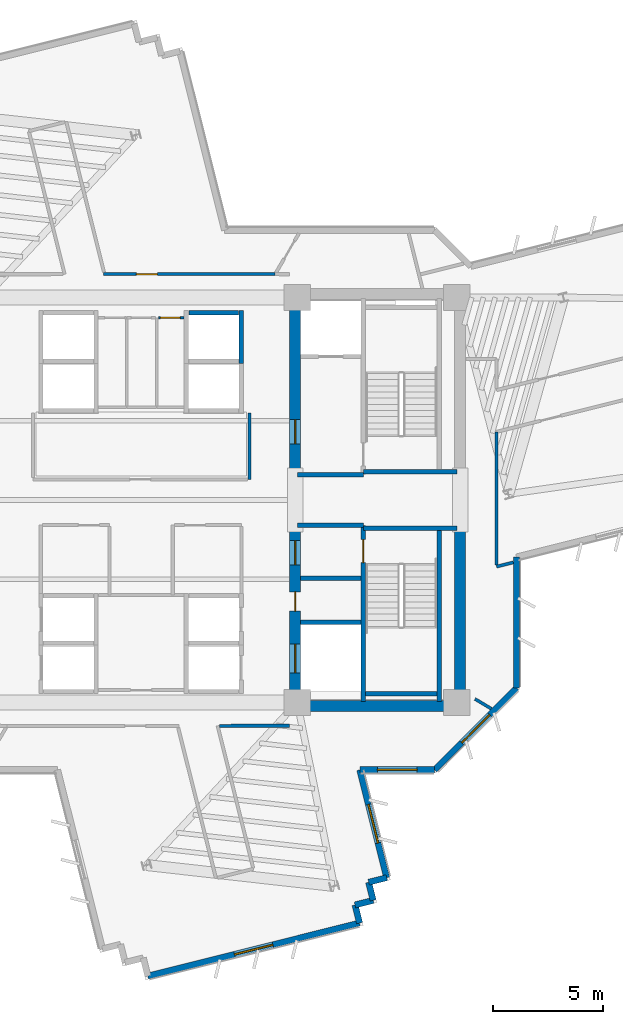
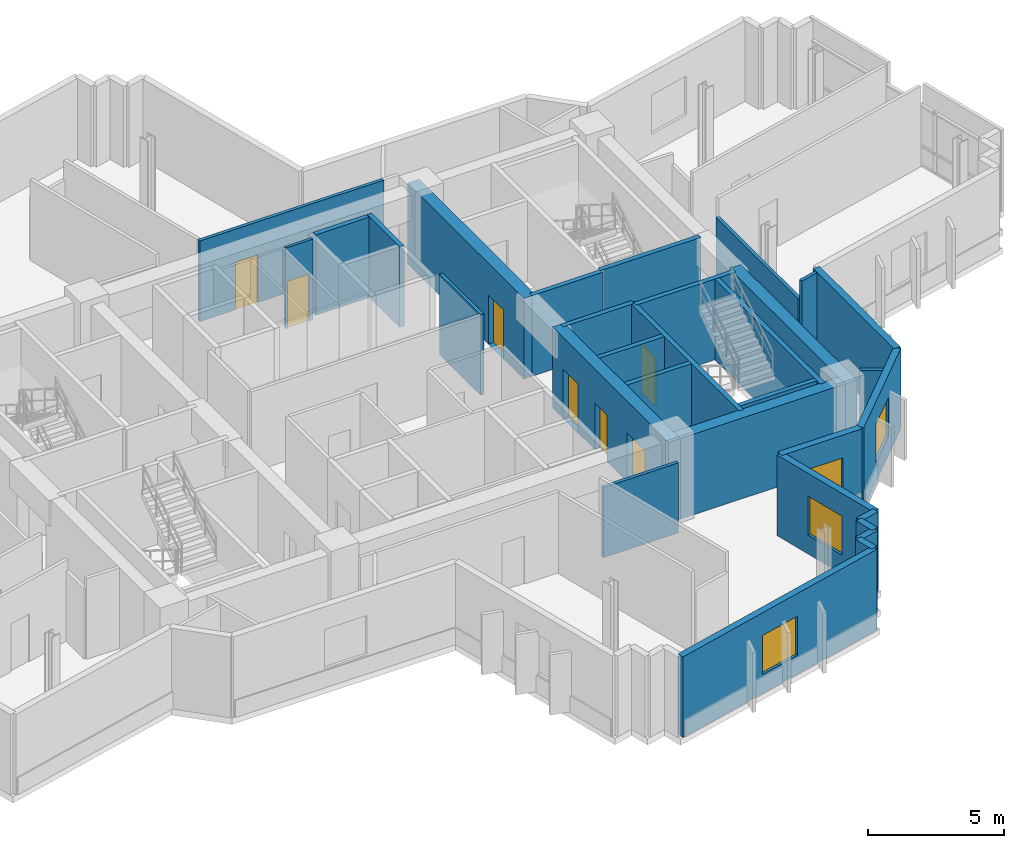
# One storey, part 8 of 13: 31 walls, 7 doors, 4 windows, 11 openings.
"""IFC4 building model written with IfcOpenShell, lengths in metres."""

from ifc_helpers import new_model, si_unit, direction, frame, frame_2d, origin, place, context, subcontext, project, spatial, rectangle, extrude, source, transform, mapped, material, layer, layer_set, type_object, element, fill, save


model = new_model("IFC4")

# Units and contexts
model_context = context("Model", 3, precision=1e-05, world=origin(), true_north=direction((0.0, 1.0)))
body_context = subcontext(model_context, "Body", "Model", "MODEL_VIEW")
ifc_project = project(units=[si_unit("LENGTHUNIT", "METRE"), si_unit("AREAUNIT", "SQUARE_METRE"), si_unit("VOLUMEUNIT", "CUBIC_METRE"), si_unit("PLANEANGLEUNIT", "RADIAN"), si_unit("MASSUNIT", "GRAM", prefix="KILO")], contexts=[model_context])

# Site, building, storey
site_placement = place(None, origin())
site = spatial("IfcSite", under=ifc_project, at=site_placement, CompositionType="ELEMENT")
building_placement = place(site_placement, origin())
building = spatial("IfcBuilding", under=site, at=building_placement, Name="Zahravan Cultural Tower", CompositionType="ELEMENT")
storey_placement = place(building_placement, frame((0.0, 0.0, 190.199951171875)))
storey = spatial("IfcBuildingStorey", under=building, at=storey_placement, Name="L44", CompositionType="ELEMENT", Elevation=190.199951171875)

# Wall, openings, doors
ifc_material_1 = material(Name="Concrete C60/75", Category="concrete")
ifc_layer_1 = layer(ifc_material_1, 0.5)
ifc_layer_set_1 = layer_set([ifc_layer_1], Name="Concrete C60/75")
wall_type_1 = type_object("IfcWallType", Name="CW-SHEAR-500-C60", PredefinedType="SHEAR", material=ifc_layer_set_1)
wall_1_placement = place(storey_placement, frame((43.0, 17.39990234375, 0.0), z_axis=(0.0, 0.0, 1.0), x_axis=(0.0, 1.0, 0.0)))
wall_1 = element("IfcWall", 1, at=wall_1_placement, inside=storey, type_object=wall_type_1, Name="L44 Core Shear Wall CW-E-WS-L44", PredefinedType="SHEAR", context=body_context, shape_type="SweptSolid", body=[
    extrude(rectangle(XDim=8.550048828125, YDim=0.5, at=frame_2d((4.27490234375, 0.0))), origin(), (0.0, 0.0, 1.0), 3.6201171875),
])
opening_1_placement = place(wall_1_placement, frame((6.64990234375, 0.0, 0.0)))
opening_1 = element("IfcOpeningElement", 2, at=opening_1_placement, cuts=wall_1, Name="Opening D-L44-08", PredefinedType="OPENING", context=body_context, shape_type="SweptSolid", body=[
    extrude(rectangle(XDim=1.10009765625, YDim=2.199951171875, at=frame_2d((0.550048828125, 1.10009765625))), frame((0.0, 0.260009765625, 0.0), z_axis=(0.0, -1.0, 0.0), x_axis=(1.0, 0.0, 0.0)), (0.0, 0.0, 1.0), 0.52001953125),
])
opening_2_placement = place(wall_1_placement, frame((1.75, 0.0, 0.0)))
opening_2 = element("IfcOpeningElement", 3, at=opening_2_placement, cuts=wall_1, Name="Opening LD-L44-03", PredefinedType="OPENING", context=body_context, shape_type="SweptSolid", body=[
    extrude(rectangle(XDim=1.300048828125, YDim=2.199951171875, at=frame_2d((0.64990234375, 1.10009765625))), frame((0.0, 0.260009765625, 0.0), z_axis=(0.0, -1.0, 0.0), x_axis=(1.0, 0.0, 0.0)), (0.0, 0.0, 1.0), 0.52001953125),
])
opening_3_placement = place(wall_1_placement, frame((4.550048828125, 0.0, 0.0)))
opening_3 = element("IfcOpeningElement", 4, at=opening_3_placement, cuts=wall_1, Name="Opening D-L44-10", PredefinedType="OPENING", context=body_context, shape_type="SweptSolid", body=[
    extrude(rectangle(XDim=0.8798828125, YDim=2.10009765625, at=frame_2d((0.43994140625, 1.050048828125))), frame((0.0, 0.260009765625, 0.0), z_axis=(0.0, -1.0, 0.0), x_axis=(1.0, 0.0, 0.0)), (0.0, 0.0, 1.0), 0.52001953125),
])
ifc_material_2 = material(Name="Steel ASTM A572 Grade 50", Category="steel")
door_type_1 = type_object("IfcDoorType", Name="DR-LOBBY-1100", OperationType="NOTDEFINED", PredefinedType="DOOR", material=ifc_material_2)
shared_shape_1 = source(origin(), body_context, "Body", "SweptSolid", [
    extrude(rectangle(XDim=1.10009765625, YDim=2.199951171875, at=frame_2d((0.550048828125, 1.10009765625))), frame((0.0, 0.02490234375, 0.0), z_axis=(0.0, -1.0, 0.0), x_axis=(1.0, 0.0, 0.0)), (0.0, 0.0, 1.0), 0.050048828125),
])
door_1_placement = place(opening_1_placement, origin())
door_1 = element("IfcDoor", 5, at=door_1_placement, inside=storey, type_object=door_type_1, Name="L44 Door D-L44-08", OperationType="SINGLE_SWING_LEFT", OverallHeight=2.199951171875, OverallWidth=1.10009765625, PredefinedType="DOOR", context=body_context, shape_type="MappedRepresentation", body=[
    mapped(shared_shape_1, transform((0.0, 0.0, 0.0), x_axis=(1.0, 0.0, 0.0), y_axis=(0.0, 1.0, 0.0), z_axis=(0.0, 0.0, 1.0), scale=1.0)),
])
fill(opening_1, door_1)
door_type_2 = type_object("IfcDoorType", Name="DR-LIFT-1300", OperationType="DOUBLE_DOOR_SLIDING", PredefinedType="DOOR", material=ifc_material_2)
shared_shape_2 = source(origin(), body_context, "Body", "SweptSolid", [
    extrude(rectangle(XDim=1.300048828125, YDim=2.199951171875, at=frame_2d((0.64990234375, 1.10009765625))), frame((0.0, 0.02490234375, 0.0), z_axis=(0.0, -1.0, 0.0), x_axis=(1.0, 0.0, 0.0)), (0.0, 0.0, 1.0), 0.050048828125),
])
door_2_placement = place(opening_2_placement, origin())
door_2 = element("IfcDoor", 6, at=door_2_placement, inside=storey, type_object=door_type_2, Name="L44 Door LD-L44-03", OperationType="DOUBLE_DOOR_SLIDING", OverallHeight=2.199951171875, OverallWidth=1.300048828125, PredefinedType="DOOR", context=body_context, shape_type="MappedRepresentation", body=[
    mapped(shared_shape_2, transform((0.0, 0.0, 0.0), x_axis=(1.0, 0.0, 0.0), y_axis=(0.0, 1.0, 0.0), z_axis=(0.0, 0.0, 1.0), scale=1.0)),
])
fill(opening_2, door_2)
door_type_3 = type_object("IfcDoorType", Name="DR-SVC-880", OperationType="NOTDEFINED", PredefinedType="DOOR", material=ifc_material_2)
shared_shape_3 = source(origin(), body_context, "Body", "SweptSolid", [
    extrude(rectangle(XDim=0.8798828125, YDim=2.10009765625, at=frame_2d((0.43994140625, 1.050048828125))), frame((0.0, 0.02490234375, 0.0), z_axis=(0.0, -1.0, 0.0), x_axis=(1.0, 0.0, 0.0)), (0.0, 0.0, 1.0), 0.050048828125),
])
door_3_placement = place(opening_3_placement, origin())
door_3 = element("IfcDoor", 7, at=door_3_placement, inside=storey, type_object=door_type_3, Name="L44 Door D-L44-10", OperationType="SINGLE_SWING_LEFT", OverallHeight=2.10009765625, OverallWidth=0.8798828125, PredefinedType="DOOR", context=body_context, shape_type="MappedRepresentation", body=[
    mapped(shared_shape_3, transform((0.0, 0.0, 0.0), x_axis=(1.0, 0.0, 0.0), y_axis=(0.0, 1.0, 0.0), z_axis=(0.0, 0.0, 1.0), scale=1.0)),
])
fill(opening_3, door_3)

# Wall, opening, door
wall_2_placement = place(storey_placement, frame((43.0, 28.050048828125, 0.0), z_axis=(0.0, 0.0, 1.0), x_axis=(0.0, 1.0, 0.0)))
wall_2 = element("IfcWall", 8, at=wall_2_placement, inside=storey, type_object=wall_type_1, Name="L44 Core Shear Wall CW-E-WN-L44", PredefinedType="SHEAR", context=body_context, shape_type="SweptSolid", body=[
    extrude(rectangle(XDim=8.550048828125, YDim=0.5, at=frame_2d((4.27490234375, 0.0))), origin(), (0.0, 0.0, 1.0), 3.6201171875),
])
opening_4_placement = place(wall_2_placement, frame((1.5, 0.0, 0.0)))
opening_4 = element("IfcOpeningElement", 9, at=opening_4_placement, cuts=wall_2, Name="Opening D-L44-06", PredefinedType="OPENING", context=body_context, shape_type="SweptSolid", body=[
    extrude(rectangle(XDim=1.10009765625, YDim=2.199951171875, at=frame_2d((0.550048828125, 1.10009765625))), frame((0.0, 0.260009765625, 0.0), z_axis=(0.0, -1.0, 0.0), x_axis=(1.0, 0.0, 0.0)), (0.0, 0.0, 1.0), 0.52001953125),
])
door_4_placement = place(opening_4_placement, origin())
door_4 = element("IfcDoor", 10, at=door_4_placement, inside=storey, type_object=door_type_1, Name="L44 Door D-L44-06", OperationType="SINGLE_SWING_LEFT", OverallHeight=2.199951171875, OverallWidth=1.10009765625, PredefinedType="DOOR", context=body_context, shape_type="MappedRepresentation", body=[
    mapped(shared_shape_1, transform((0.0, 0.0, 0.0), x_axis=(1.0, 0.0, 0.0), y_axis=(0.0, 1.0, 0.0), z_axis=(0.0, 0.0, 1.0), scale=1.0)),
])
fill(opening_4, door_4)

# Wall, opening, window
ifc_material_3 = material(Name="Precast concrete C40/50", Category="concrete")
ifc_layer_2 = layer(ifc_material_3, 0.280029296875)
ifc_layer_set_2 = layer_set([ifc_layer_2], Name="Precast concrete C40/50")
wall_type_2 = type_object("IfcWallType", Name="EW-TC-280", PredefinedType="SOLIDWALL", material=ifc_layer_set_2)
wall_3_placement = place(storey_placement, frame((53.06005859375, 18.4580078125, 0.0), z_axis=(0.0, 0.0, 1.0), x_axis=(-0.707106781187, -0.707106781187, 0.0)))
wall_3 = element("IfcWall", 11, at=wall_3_placement, inside=storey, type_object=wall_type_2, Name="L44 Exterior Masonry Frame Wall 12", PredefinedType="SOLIDWALL", context=body_context, shape_type="SweptSolid", body=[
    extrude(rectangle(XDim=5.258056640625, YDim=0.280029296875, at=frame_2d((2.62890625, 0.0))), origin(), (0.0, 0.0, 1.0), 3.6201171875),
])
opening_5_placement = place(wall_3_placement, frame((1.72900390625, 0.0, 0.85009765625)))
opening_5 = element("IfcOpeningElement", 12, at=opening_5_placement, cuts=wall_3, Name="Opening WN-02", PredefinedType="OPENING", context=body_context, shape_type="SweptSolid", body=[
    extrude(rectangle(XDim=1.800048828125, YDim=1.75, at=frame_2d((0.89990234375, 0.875))), frame((0.0, 0.14990234375, 0.0), z_axis=(0.0, -1.0, 0.0), x_axis=(1.0, 0.0, 0.0)), (0.0, 0.0, 1.0), 0.300048828125),
])
ifc_material_4 = material(Name="Low-E solar-control double glazing", Category="glass")
window_type = type_object("IfcWindowType", Name="WN-REC-1800X1750", PartitioningType="DOUBLE_PANEL_VERTICAL", PredefinedType="WINDOW", material=ifc_material_4)
shared_shape_4 = source(origin(), body_context, "Body", "SweptSolid", [
    extrude(rectangle(XDim=1.800048828125, YDim=1.75, at=frame_2d((0.89990234375, 0.875))), frame((0.0, 0.030029296875, 0.0), z_axis=(0.0, -1.0, 0.0), x_axis=(1.0, 0.0, 0.0)), (0.0, 0.0, 1.0), 0.06005859375),
])
window_1_placement = place(opening_5_placement, origin())
window_1 = element("IfcWindow", 13, at=window_1_placement, inside=storey, type_object=window_type, Name="L44 Recessed Solar Window 03", OverallHeight=1.75, OverallWidth=1.800048828125, PartitioningType="DOUBLE_PANEL_VERTICAL", PredefinedType="WINDOW", context=body_context, shape_type="MappedRepresentation", body=[
    mapped(shared_shape_4, transform((0.0, 0.0, 0.0), x_axis=(1.0, 0.0, 0.0), y_axis=(0.0, 1.0, 0.0), z_axis=(0.0, 0.0, 1.0), scale=1.0)),
])
fill(opening_5, window_1)

wall_4_placement = place(storey_placement, frame((49.342041015625, 14.739990234375, 0.0), z_axis=(0.0, 0.0, 1.0), x_axis=(-1.0, 0.0, 0.0)))
wall_4 = element("IfcWall", 14, at=wall_4_placement, inside=storey, type_object=wall_type_2, Name="L44 Exterior Masonry Frame Wall 13", PredefinedType="SOLIDWALL", context=body_context, shape_type="SweptSolid", body=[
    extrude(rectangle(XDim=3.406005859375, YDim=0.280029296875, at=frame_2d((1.703125, 0.0))), origin(), (0.0, 0.0, 1.0), 3.6201171875),
])
opening_6_placement = place(wall_4_placement, frame((0.802978515625, 0.0, 0.85009765625)))
opening_6 = element("IfcOpeningElement", 15, at=opening_6_placement, cuts=wall_4, Name="Opening WN-02", PredefinedType="OPENING", context=body_context, shape_type="SweptSolid", body=[
    extrude(rectangle(XDim=1.800048828125, YDim=1.75, at=frame_2d((0.89990234375, 0.875))), frame((0.0, 0.14990234375, 0.0), z_axis=(0.0, -1.0, 0.0), x_axis=(1.0, 0.0, 0.0)), (0.0, 0.0, 1.0), 0.300048828125),
])
window_2_placement = place(opening_6_placement, origin())
window_2 = element("IfcWindow", 16, at=window_2_placement, inside=storey, type_object=window_type, Name="L44 Recessed Solar Window 04", OverallHeight=1.75, OverallWidth=1.800048828125, PartitioningType="DOUBLE_PANEL_VERTICAL", PredefinedType="WINDOW", context=body_context, shape_type="MappedRepresentation", body=[
    mapped(shared_shape_4, transform((0.0, 0.0, 0.0), x_axis=(1.0, 0.0, 0.0), y_axis=(0.0, 1.0, 0.0), z_axis=(0.0, 0.0, 1.0), scale=1.0)),
])
fill(opening_6, window_2)

wall_5_placement = place(storey_placement, frame((45.93603515625, 14.739990234375, 0.0), z_axis=(0.0, 0.0, 1.0), x_axis=(0.242956192426, -0.97003726143, 0.0)))
wall_5 = element("IfcWall", 17, at=wall_5_placement, inside=storey, type_object=wall_type_2, Name="L44 Exterior Masonry Frame Wall 14", PredefinedType="SOLIDWALL", context=body_context, shape_type="SweptSolid", body=[
    extrude(rectangle(XDim=5.053466796875, YDim=0.280029296875, at=frame_2d((2.52685546875, 0.0))), origin(), (0.0, 0.0, 1.0), 3.6201171875),
])
opening_7_placement = place(wall_5_placement, frame((1.626953125, 0.0, 0.85009765625)))
opening_7 = element("IfcOpeningElement", 18, at=opening_7_placement, cuts=wall_5, Name="Opening WN-02", PredefinedType="OPENING", context=body_context, shape_type="SweptSolid", body=[
    extrude(rectangle(XDim=1.800048828125, YDim=1.75, at=frame_2d((0.89990234375, 0.875))), frame((0.0, 0.14990234375, 0.0), z_axis=(0.0, -1.0, 0.0), x_axis=(1.0, 0.0, 0.0)), (0.0, 0.0, 1.0), 0.300048828125),
])
window_3_placement = place(opening_7_placement, origin())
window_3 = element("IfcWindow", 19, at=window_3_placement, inside=storey, type_object=window_type, Name="L44 Recessed Solar Window 05", OverallHeight=1.75, OverallWidth=1.800048828125, PartitioningType="DOUBLE_PANEL_VERTICAL", PredefinedType="WINDOW", context=body_context, shape_type="MappedRepresentation", body=[
    mapped(shared_shape_4, transform((0.0, 0.0, 0.0), x_axis=(1.0, 0.0, 0.0), y_axis=(0.0, 1.0, 0.0), z_axis=(0.0, 0.0, 1.0), scale=1.0)),
])
fill(opening_7, window_3)

wall_6_placement = place(storey_placement, frame((45.927734375, 7.77587890625, 0.0), z_axis=(0.0, 0.0, 1.0), x_axis=(-0.97004252616, -0.242935171273, 0.0)))
wall_6 = element("IfcWall", 20, at=wall_6_placement, inside=storey, type_object=wall_type_2, Name="L44 Exterior Masonry Frame Wall 19", PredefinedType="SOLIDWALL", context=body_context, shape_type="SweptSolid", body=[
    extrude(rectangle(XDim=9.919921875, YDim=0.280029296875, at=frame_2d((4.9599609375, 0.0))), origin(), (0.0, 0.0, 1.0), 3.6201171875),
])
opening_8_placement = place(wall_6_placement, frame((4.06005859375, 0.0, 0.85009765625)))
opening_8 = element("IfcOpeningElement", 21, at=opening_8_placement, cuts=wall_6, Name="Opening WN-02", PredefinedType="OPENING", context=body_context, shape_type="SweptSolid", body=[
    extrude(rectangle(XDim=1.800048828125, YDim=1.75, at=frame_2d((0.89990234375, 0.875))), frame((0.0, 0.14990234375, 0.0), z_axis=(0.0, -1.0, 0.0), x_axis=(1.0, 0.0, 0.0)), (0.0, 0.0, 1.0), 0.300048828125),
])
window_4_placement = place(opening_8_placement, origin())
window_4 = element("IfcWindow", 22, at=window_4_placement, inside=storey, type_object=window_type, Name="L44 Recessed Solar Window 06", OverallHeight=1.75, OverallWidth=1.800048828125, PartitioningType="DOUBLE_PANEL_VERTICAL", PredefinedType="WINDOW", context=body_context, shape_type="MappedRepresentation", body=[
    mapped(shared_shape_4, transform((0.0, 0.0, 0.0), x_axis=(1.0, 0.0, 0.0), y_axis=(0.0, 1.0, 0.0), z_axis=(0.0, 0.0, 1.0), scale=1.0)),
])
fill(opening_8, window_4)

# Wall, opening, door
ifc_material_5 = material(Name="Gypsum plasterboard partition")
ifc_layer_3 = layer(ifc_material_5, 0.139892578125)
ifc_layer_set_3 = layer_set([ifc_layer_3], Name="Gypsum plasterboard partition")
wall_type_3 = type_object("IfcWallType", Name="W-PART-140", PredefinedType="PARTITIONING", material=ifc_layer_set_3)
wall_7_placement = place(storey_placement, frame((42.087890625, 37.260009765625, 0.0), z_axis=(0.0, 0.0, 1.0), x_axis=(-1.0, 0.0, 0.0)))
wall_7 = element("IfcWall", 23, at=wall_7_placement, inside=storey, type_object=wall_type_3, Name="L44 Interior Wall 097", PredefinedType="PARTITIONING", context=body_context, shape_type="SweptSolid", body=[
    extrude(rectangle(XDim=7.806396484375, YDim=0.139892578125, at=frame_2d((3.9033203125, 0.0))), origin(), (0.0, 0.0, 1.0), 3.6201171875),
])
opening_9_placement = place(wall_7_placement, frame((5.34814453125, 0.0, 0.0)))
opening_9 = element("IfcOpeningElement", 24, at=opening_9_placement, cuts=wall_7, Name="Opening D-L44-20", PredefinedType="OPENING", context=body_context, shape_type="SweptSolid", body=[
    extrude(rectangle(XDim=0.949951171875, YDim=2.14990234375, at=frame_2d((0.47509765625, 1.074951171875))), frame((0.0, 0.079833984375, 0.0), z_axis=(0.0, -1.0, 0.0), x_axis=(1.0, 0.0, 0.0)), (0.0, 0.0, 1.0), 0.159912109375),
])
ifc_material_6 = material(Name="Anodised bronze-aluminium mullion", Category="aluminium")
door_type_4 = type_object("IfcDoorType", Name="DR-ROOM-950", OperationType="NOTDEFINED", PredefinedType="DOOR", material=ifc_material_6)
shared_shape_5 = source(origin(), body_context, "Body", "SweptSolid", [
    extrude(rectangle(XDim=0.949951171875, YDim=2.14990234375, at=frame_2d((0.47509765625, 1.074951171875))), frame((0.0, 0.02490234375, 0.0), z_axis=(0.0, -1.0, 0.0), x_axis=(1.0, 0.0, 0.0)), (0.0, 0.0, 1.0), 0.050048828125),
])
door_5_placement = place(opening_9_placement, origin())
door_5 = element("IfcDoor", 25, at=door_5_placement, inside=storey, type_object=door_type_4, Name="L44 Door D-L44-20", OperationType="SINGLE_SWING_LEFT", OverallHeight=2.14990234375, OverallWidth=0.949951171875, PredefinedType="DOOR", context=body_context, shape_type="MappedRepresentation", body=[
    mapped(shared_shape_5, transform((0.0, 0.0, 0.0), x_axis=(1.0, 0.0, 0.0), y_axis=(0.0, 1.0, 0.0), z_axis=(0.0, 0.0, 1.0), scale=1.0)),
])
fill(opening_9, door_5)

ifc_material_7 = material(Name="Concrete C45/55", Category="concrete")
ifc_layer_4 = layer(ifc_material_7, 0.199951171875)
ifc_layer_set_4 = layer_set([ifc_layer_4], Name="Concrete C45/55")
wall_type_4 = type_object("IfcWallType", Name="W-SHAFT-200", PredefinedType="SOLIDWALL", material=ifc_layer_set_4)
wall_8_placement = place(storey_placement, frame((46.10009765625, 17.85009765625, 0.0), z_axis=(0.0, 0.0, 1.0), x_axis=(0.0, 1.0, 0.0)))
wall_8 = element("IfcWall", 26, at=wall_8_placement, inside=storey, type_object=wall_type_4, Name="L44 Interior Wall 007", PredefinedType="SOLIDWALL", context=body_context, shape_type="SweptSolid", body=[
    extrude(rectangle(XDim=8.0, YDim=0.199951171875, at=frame_2d((4.0, 0.0))), origin(), (0.0, 0.0, 1.0), 3.6201171875),
])
opening_10_placement = place(wall_8_placement, frame((6.300048828125, 0.0, 0.0)))
opening_10 = element("IfcOpeningElement", 27, at=opening_10_placement, cuts=wall_8, Name="Opening D-L44-03", PredefinedType="OPENING", context=body_context, shape_type="SweptSolid", body=[
    extrude(rectangle(XDim=1.050048828125, YDim=2.14990234375, at=frame_2d((0.52490234375, 1.074951171875))), frame((0.0, 0.10986328125, 0.0), z_axis=(0.0, -1.0, 0.0), x_axis=(1.0, 0.0, 0.0)), (0.0, 0.0, 1.0), 0.219970703125),
])
door_type_5 = type_object("IfcDoorType", Name="DR-STAIR-1050", OperationType="NOTDEFINED", PredefinedType="DOOR", material=ifc_material_2)
shared_shape_6 = source(origin(), body_context, "Body", "SweptSolid", [
    extrude(rectangle(XDim=1.050048828125, YDim=2.14990234375, at=frame_2d((0.52490234375, 1.074951171875))), frame((0.0, 0.02490234375, 0.0), z_axis=(0.0, -1.0, 0.0), x_axis=(1.0, 0.0, 0.0)), (0.0, 0.0, 1.0), 0.050048828125),
])
door_6_placement = place(opening_10_placement, origin())
door_6 = element("IfcDoor", 28, at=door_6_placement, inside=storey, type_object=door_type_5, Name="L44 Door D-L44-03", OperationType="SINGLE_SWING_RIGHT", OverallHeight=2.14990234375, OverallWidth=1.050048828125, PredefinedType="DOOR", context=body_context, shape_type="MappedRepresentation", body=[
    mapped(shared_shape_6, transform((0.0, 0.0, 0.0), x_axis=(1.0, 0.0, 0.0), y_axis=(0.0, 1.0, 0.0), z_axis=(0.0, 0.0, 1.0), scale=1.0)),
])
fill(opening_10, door_6)

ifc_layer_5 = layer(ifc_material_5, 0.114990234375)
ifc_layer_set_5 = layer_set([ifc_layer_5], Name="Gypsum plasterboard partition")
wall_type_5 = type_object("IfcWallType", Name="W-WC-115", PredefinedType="PARTITIONING", material=ifc_layer_set_5)
wall_9_placement = place(storey_placement, frame((36.782470703125, 35.280029296875, 0.0), z_axis=(0.0, 0.0, 1.0), x_axis=(1.0, 0.0, 0.0)))
wall_9 = element("IfcWall", 29, at=wall_9_placement, inside=storey, type_object=wall_type_5, Name="L44 Interior Wall 056", PredefinedType="PARTITIONING", context=body_context, shape_type="SweptSolid", body=[
    extrude(rectangle(XDim=1.16259765625, YDim=0.114990234375, at=frame_2d((0.581298828125, 0.0))), origin(), (0.0, 0.0, 1.0), 3.6201171875),
])
opening_11_placement = place(wall_9_placement, frame((0.0888671875, 0.0, 0.0)))
opening_11 = element("IfcOpeningElement", 30, at=opening_11_placement, cuts=wall_9, Name="Opening D-L44-15", PredefinedType="OPENING", context=body_context, shape_type="SweptSolid", body=[
    extrude(rectangle(XDim=0.89990234375, YDim=2.10009765625, at=frame_2d((0.449951171875, 1.050048828125))), frame((0.0, 0.0673828125, 0.0), z_axis=(0.0, -1.0, 0.0), x_axis=(1.0, 0.0, 0.0)), (0.0, 0.0, 1.0), 0.135009765625),
])
door_type_6 = type_object("IfcDoorType", Name="DR-WC-900", OperationType="NOTDEFINED", PredefinedType="DOOR", material=ifc_material_6)
shared_shape_7 = source(origin(), body_context, "Body", "SweptSolid", [
    extrude(rectangle(XDim=0.89990234375, YDim=2.10009765625, at=frame_2d((0.449951171875, 1.050048828125))), frame((0.0, 0.02490234375, 0.0), z_axis=(0.0, -1.0, 0.0), x_axis=(1.0, 0.0, 0.0)), (0.0, 0.0, 1.0), 0.050048828125),
])
door_7_placement = place(opening_11_placement, origin())
door_7 = element("IfcDoor", 31, at=door_7_placement, inside=storey, type_object=door_type_6, Name="L44 Door D-L44-15", OperationType="SINGLE_SWING_RIGHT", OverallHeight=2.10009765625, OverallWidth=0.89990234375, PredefinedType="DOOR", context=body_context, shape_type="MappedRepresentation", body=[
    mapped(shared_shape_7, transform((0.0, 0.0, 0.0), x_axis=(1.0, 0.0, 0.0), y_axis=(0.0, 1.0, 0.0), z_axis=(0.0, 0.0, 1.0), scale=1.0)),
])
fill(opening_11, door_7)

# Walls
shared_shape_8 = source(origin(), body_context, "Body", "SweptSolid", [
    extrude(rectangle(XDim=8.550048828125, YDim=0.5, at=frame_2d((4.27490234375, 0.0))), origin(), (0.0, 0.0, 1.0), 3.6201171875),
])
wall_10_placement = place(storey_placement, frame((50.5, 17.39990234375, 0.0), z_axis=(0.0, 0.0, 1.0), x_axis=(0.0, 1.0, 0.0)))
element("IfcWall", 32, at=wall_10_placement, inside=storey, type_object=wall_type_1, Name="L44 Core Shear Wall CW-E-ES-L44", PredefinedType="SHEAR", context=body_context, shape_type="MappedRepresentation", body=[
    mapped(shared_shape_8, transform((0.0, 0.0, 0.0), x_axis=(1.0, 0.0, 0.0), y_axis=(0.0, 1.0, 0.0), z_axis=(0.0, 0.0, 1.0), scale=1.0)),
])
shared_shape_9 = source(origin(), body_context, "Body", "SweptSolid", [
    extrude(rectangle(XDim=7.0, YDim=0.5, at=frame_2d((3.5, 0.0))), origin(), (0.0, 0.0, 1.0), 3.6201171875),
])
wall_11_placement = place(storey_placement, frame((43.25, 17.64990234375, 0.0), z_axis=(0.0, 0.0, 1.0), x_axis=(1.0, 0.0, 0.0)))
element("IfcWall", 33, at=wall_11_placement, inside=storey, type_object=wall_type_1, Name="L44 Core Shear Wall CW-E-S-L44", PredefinedType="SHEAR", context=body_context, shape_type="MappedRepresentation", body=[
    mapped(shared_shape_9, transform((0.0, 0.0, 0.0), x_axis=(1.0, 0.0, 0.0), y_axis=(0.0, 1.0, 0.0), z_axis=(0.0, 0.0, 1.0), scale=1.0)),
])
shared_shape_10 = source(origin(), body_context, "Body", "SweptSolid", [
    extrude(rectangle(XDim=0.85009765625, YDim=0.280029296875, at=frame_2d((0.425048828125, 0.0))), origin(), (0.0, 0.0, 1.0), 3.6201171875),
])
for number, where, z_axis, x_axis, name in (
    (34, (47.163818359375, 9.837890625, 0.0), (0.0, 0.0, 1.0), (-0.970108704339, -0.242670768255, 0.0), "L44 Exterior Masonry Frame Wall 15"),
    (35, (46.339111328125, 9.631591796875, 0.0), (0.0, 0.0, 1.0), (0.242941012307, -0.970041063326, 0.0), "L44 Exterior Masonry Frame Wall 16"),
):
    element("IfcWall", number, at=place(storey_placement, frame(where, z_axis=z_axis, x_axis=x_axis)), inside=storey, type_object=wall_type_2, Name=name, PredefinedType="SOLIDWALL", context=body_context, shape_type="MappedRepresentation", body=[
        mapped(shared_shape_10, transform((0.0, 0.0, 0.0), x_axis=(1.0, 0.0, 0.0), y_axis=(0.0, 1.0, 0.0), z_axis=(0.0, 0.0, 1.0), scale=1.0)),
    ])
shared_shape_11 = source(origin(), body_context, "Body", "SweptSolid", [
    extrude(rectangle(XDim=0.849853515625, YDim=0.280029296875, at=frame_2d((0.4248046875, 0.0))), origin(), (0.0, 0.0, 1.0), 3.6201171875),
])
for number, where, z_axis, x_axis, name in (
    (36, (46.545654296875, 8.806884765625, 0.0), (0.0, 0.0, 1.0), (-0.970024107708, -0.243008704507, 0.0), "L44 Exterior Masonry Frame Wall 17"),
    (37, (45.72119140625, 8.600341796875, 0.0), (0.0, 0.0, 1.0), (0.243008704507, -0.970024107708, 0.0), "L44 Exterior Masonry Frame Wall 18"),
):
    element("IfcWall", number, at=place(storey_placement, frame(where, z_axis=z_axis, x_axis=x_axis)), inside=storey, type_object=wall_type_2, Name=name, PredefinedType="SOLIDWALL", context=body_context, shape_type="MappedRepresentation", body=[
        mapped(shared_shape_11, transform((0.0, 0.0, 0.0), x_axis=(1.0, 0.0, 0.0), y_axis=(0.0, 1.0, 0.0), z_axis=(0.0, 0.0, 1.0), scale=1.0)),
    ])
shared_shape_12 = source(origin(), body_context, "Body", "SweptSolid", [
    extrude(rectangle(XDim=5.948974609375, YDim=0.280029296875, at=frame_2d((2.974609375, 0.0))), origin(), (0.0, 0.0, 1.0), 3.6201171875),
])
wall_12_placement = place(storey_placement, frame((53.06005859375, 24.406982421875, 0.0), z_axis=(0.0, 0.0, 1.0), x_axis=(0.0, -1.0, 0.0)))
element("IfcWall", 38, at=wall_12_placement, inside=storey, type_object=wall_type_2, Name="L44 Exterior Masonry Frame Wall 11", PredefinedType="SOLIDWALL", context=body_context, shape_type="MappedRepresentation", body=[
    mapped(shared_shape_12, transform((0.0, 0.0, 0.0), x_axis=(1.0, 0.0, 0.0), y_axis=(0.0, 1.0, 0.0), z_axis=(0.0, 0.0, 1.0), scale=1.0)),
])
shared_shape_13 = source(origin(), body_context, "Body", "SweptSolid", [
    extrude(rectangle(XDim=7.869873046875, YDim=0.199951171875, at=frame_2d((3.93505859375, 0.0))), origin(), (0.0, 0.0, 1.0), 3.6201171875),
])
wall_13_placement = place(storey_placement, frame((49.550048828125, 17.85009765625, 0.0), z_axis=(0.0, 0.0, 1.0), x_axis=(0.0, 1.0, 0.0)))
element("IfcWall", 39, at=wall_13_placement, inside=storey, type_object=wall_type_4, Name="L44 Interior Wall 003", PredefinedType="SOLIDWALL", context=body_context, shape_type="MappedRepresentation", body=[
    mapped(shared_shape_13, transform((0.0, 0.0, 0.0), x_axis=(1.0, 0.0, 0.0), y_axis=(0.0, 1.0, 0.0), z_axis=(0.0, 0.0, 1.0), scale=1.0)),
])
shared_shape_14 = source(origin(), body_context, "Body", "SweptSolid", [
    extrude(rectangle(XDim=4.25, YDim=0.199951171875, at=frame_2d((2.125, 0.0))), origin(), (0.0, 0.0, 1.0), 3.6201171875),
])
for number, where, z_axis, x_axis, name in (
    (40, (46.10009765625, 25.715087890625, 0.0), (0.0, 0.0, 1.0), (1.0, 0.0, 0.0), "L44 Interior Wall 014"),
    (41, (46.10009765625, 28.284912109375, 0.0), (0.0, 0.0, 1.0), (1.0, 0.0, 0.0), "L44 Interior Wall 016"),
):
    element("IfcWall", number, at=place(storey_placement, frame(where, z_axis=z_axis, x_axis=x_axis)), inside=storey, type_object=wall_type_4, Name=name, PredefinedType="SOLIDWALL", context=body_context, shape_type="MappedRepresentation", body=[
        mapped(shared_shape_14, transform((0.0, 0.0, 0.0), x_axis=(1.0, 0.0, 0.0), y_axis=(0.0, 1.0, 0.0), z_axis=(0.0, 0.0, 1.0), scale=1.0)),
    ])
shared_shape_15 = source(origin(), body_context, "Body", "SweptSolid", [
    extrude(rectangle(XDim=3.0, YDim=0.199951171875, at=frame_2d((1.5, 0.0))), origin(), (0.0, 0.0, 1.0), 3.6201171875),
])
for number, where, z_axis, x_axis, name in (
    (42, (43.10009765625, 25.85009765625, 0.0), (0.0, 0.0, 1.0), (1.0, 0.0, 0.0), "L44 Interior Wall 013"),
    (43, (43.10009765625, 28.14990234375, 0.0), (0.0, 0.0, 1.0), (1.0, 0.0, 0.0), "L44 Interior Wall 015"),
):
    element("IfcWall", number, at=place(storey_placement, frame(where, z_axis=z_axis, x_axis=x_axis)), inside=storey, type_object=wall_type_4, Name=name, PredefinedType="SOLIDWALL", context=body_context, shape_type="MappedRepresentation", body=[
        mapped(shared_shape_15, transform((0.0, 0.0, 0.0), x_axis=(1.0, 0.0, 0.0), y_axis=(0.0, 1.0, 0.0), z_axis=(0.0, 0.0, 1.0), scale=1.0)),
    ])
shared_shape_16 = source(origin(), body_context, "Body", "SweptSolid", [
    extrude(rectangle(XDim=3.25, YDim=0.199951171875, at=frame_2d((1.625, 0.0))), origin(), (0.0, 0.0, 1.0), 3.6201171875),
])
wall_14_placement = place(storey_placement, frame((46.199951171875, 18.199951171875, 0.0), z_axis=(0.0, 0.0, 1.0), x_axis=(1.0, 0.0, 0.0)))
element("IfcWall", 44, at=wall_14_placement, inside=storey, type_object=wall_type_4, Name="L44 Interior Wall 020", PredefinedType="SOLIDWALL", context=body_context, shape_type="MappedRepresentation", body=[
    mapped(shared_shape_16, transform((0.0, 0.0, 0.0), x_axis=(1.0, 0.0, 0.0), y_axis=(0.0, 1.0, 0.0), z_axis=(0.0, 0.0, 1.0), scale=1.0)),
])
shared_shape_17 = source(origin(), body_context, "Body", "SweptSolid", [
    extrude(rectangle(XDim=2.75, YDim=0.199951171875, at=frame_2d((1.375, 0.0))), origin(), (0.0, 0.0, 1.0), 3.6201171875),
])
for number, where, z_axis, x_axis, name in (
    (45, (43.25, 23.449951171875, 0.0), (0.0, 0.0, 1.0), (1.0, 0.0, 0.0), "L44 Interior Wall 024"),
    (46, (43.25, 21.449951171875, 0.0), (0.0, 0.0, 1.0), (1.0, 0.0, 0.0), "L44 Interior Wall 025"),
):
    element("IfcWall", number, at=place(storey_placement, frame(where, z_axis=z_axis, x_axis=x_axis)), inside=storey, type_object=wall_type_4, Name=name, PredefinedType="SOLIDWALL", context=body_context, shape_type="MappedRepresentation", body=[
        mapped(shared_shape_17, transform((0.0, 0.0, 0.0), x_axis=(1.0, 0.0, 0.0), y_axis=(0.0, 1.0, 0.0), z_axis=(0.0, 0.0, 1.0), scale=1.0)),
    ])
shared_shape_18 = source(origin(), body_context, "Body", "SweptSolid", [
    extrude(rectangle(XDim=2.400146484375, YDim=0.199951171875, at=frame_2d((1.2001953125, 0.0))), origin(), (0.0, 0.0, 1.0), 3.6201171875),
])
wall_15_placement = place(storey_placement, frame((40.550048828125, 33.199951171875, 0.0), z_axis=(0.0, 0.0, 1.0), x_axis=(0.0, 1.0, 0.0)))
element("IfcWall", 47, at=wall_15_placement, inside=storey, type_object=wall_type_4, Name="L44 Interior Wall 034", PredefinedType="SOLIDWALL", context=body_context, shape_type="MappedRepresentation", body=[
    mapped(shared_shape_18, transform((0.0, 0.0, 0.0), x_axis=(1.0, 0.0, 0.0), y_axis=(0.0, 1.0, 0.0), z_axis=(0.0, 0.0, 1.0), scale=1.0)),
])
shared_shape_19 = source(origin(), body_context, "Body", "SweptSolid", [
    extrude(rectangle(XDim=2.260009765625, YDim=0.199951171875, at=frame_2d((1.1298828125, 0.0))), origin(), (0.0, 0.0, 1.0), 3.6201171875),
])
wall_16_placement = place(storey_placement, frame((38.169921875, 35.5, 0.0), z_axis=(0.0, 0.0, 1.0), x_axis=(1.0, 0.0, 0.0)))
element("IfcWall", 48, at=wall_16_placement, inside=storey, type_object=wall_type_4, Name="L44 Interior Wall 036", PredefinedType="SOLIDWALL", context=body_context, shape_type="MappedRepresentation", body=[
    mapped(shared_shape_19, transform((0.0, 0.0, 0.0), x_axis=(1.0, 0.0, 0.0), y_axis=(0.0, 1.0, 0.0), z_axis=(0.0, 0.0, 1.0), scale=1.0)),
])
shared_shape_20 = source(origin(), body_context, "Body", "SweptSolid", [
    extrude(rectangle(XDim=3.010009765625, YDim=0.139892578125, at=frame_2d((1.5048828125, 0.0))), origin(), (0.0, 0.0, 1.0), 3.6201171875),
])
wall_17_placement = place(storey_placement, frame((40.919921875, 30.949951171875, 0.0), z_axis=(0.0, 0.0, 1.0), x_axis=(0.0, -1.0, 0.0)))
element("IfcWall", 49, at=wall_17_placement, inside=storey, type_object=wall_type_3, Name="L44 Interior Wall 076", PredefinedType="PARTITIONING", context=body_context, shape_type="MappedRepresentation", body=[
    mapped(shared_shape_20, transform((0.0, 0.0, 0.0), x_axis=(1.0, 0.0, 0.0), y_axis=(0.0, 1.0, 0.0), z_axis=(0.0, 0.0, 1.0), scale=1.0)),
])
shared_shape_21 = source(origin(), body_context, "Body", "SweptSolid", [
    extrude(rectangle(XDim=0.788818359375, YDim=0.139892578125, at=frame_2d((0.39453125, 0.0))), origin(), (0.0, 0.0, 1.0), 3.6201171875),
])
wall_18_placement = place(storey_placement, frame((52.9150390625, 24.164306640625, 0.0), z_axis=(0.0, 0.0, 1.0), x_axis=(-0.970033159667, -0.242972568711, 0.0)))
element("IfcWall", 50, at=wall_18_placement, inside=storey, type_object=wall_type_3, Name="L44 Interior Wall 090", PredefinedType="PARTITIONING", context=body_context, shape_type="MappedRepresentation", body=[
    mapped(shared_shape_21, transform((0.0, 0.0, 0.0), x_axis=(1.0, 0.0, 0.0), y_axis=(0.0, 1.0, 0.0), z_axis=(0.0, 0.0, 1.0), scale=1.0)),
])
shared_shape_22 = source(origin(), body_context, "Body", "SweptSolid", [
    extrude(rectangle(XDim=0.865478515625, YDim=0.139892578125, at=frame_2d((0.4326171875, 0.0))), origin(), (0.0, 0.0, 1.0), 3.6201171875),
])
wall_19_placement = place(storey_placement, frame((51.169921875, 17.95849609375, 0.0), z_axis=(0.0, 0.0, 1.0), x_axis=(0.860144859581, -0.510049821621, 0.0)))
element("IfcWall", 51, at=wall_19_placement, inside=storey, type_object=wall_type_3, Name="L44 Interior Wall 108", PredefinedType="PARTITIONING", context=body_context, shape_type="MappedRepresentation", body=[
    mapped(shared_shape_22, transform((0.0, 0.0, 0.0), x_axis=(1.0, 0.0, 0.0), y_axis=(0.0, 1.0, 0.0), z_axis=(0.0, 0.0, 1.0), scale=1.0)),
])
shared_shape_23 = source(origin(), body_context, "Body", "SweptSolid", [
    extrude(rectangle(XDim=6.046142578125, YDim=0.139892578125, at=frame_2d((3.02294921875, 0.0))), origin(), (0.0, 0.0, 1.0), 2.76611328125),
])
wall_20_placement = place(storey_placement, frame((52.14990234375, 24.050048828125, 0.0), z_axis=(0.0, 0.0, 1.0), x_axis=(0.0, 1.0, 0.0)))
element("IfcWall", 52, at=wall_20_placement, inside=storey, type_object=wall_type_3, Name="L44 Interior Wall 091", PredefinedType="PARTITIONING", context=body_context, shape_type="MappedRepresentation", body=[
    mapped(shared_shape_23, transform((0.0, 0.0, 0.0), x_axis=(1.0, 0.0, 0.0), y_axis=(0.0, 1.0, 0.0), z_axis=(0.0, 0.0, 1.0), scale=1.0)),
])
shared_shape_24 = source(origin(), body_context, "Body", "SweptSolid", [
    extrude(rectangle(XDim=3.1923828125, YDim=0.139892578125, at=frame_2d((1.59619140625, 0.0))), origin(), (0.0, 0.0, 1.0), 3.149169921875),
])
wall_21_placement = place(storey_placement, frame((39.55419921875, 16.739990234375, 0.0), z_axis=(0.0, 0.0, 1.0), x_axis=(0.999999926893, 0.000382379905, 0.0)))
element("IfcWall", 53, at=wall_21_placement, inside=storey, type_object=wall_type_3, Name="L44 Interior Wall 107", PredefinedType="PARTITIONING", context=body_context, shape_type="MappedRepresentation", body=[
    mapped(shared_shape_24, transform((0.0, 0.0, 0.0), x_axis=(1.0, 0.0, 0.0), y_axis=(0.0, 1.0, 0.0), z_axis=(0.0, 0.0, 1.0), scale=1.0)),
])

save(model, "model.ifc")
